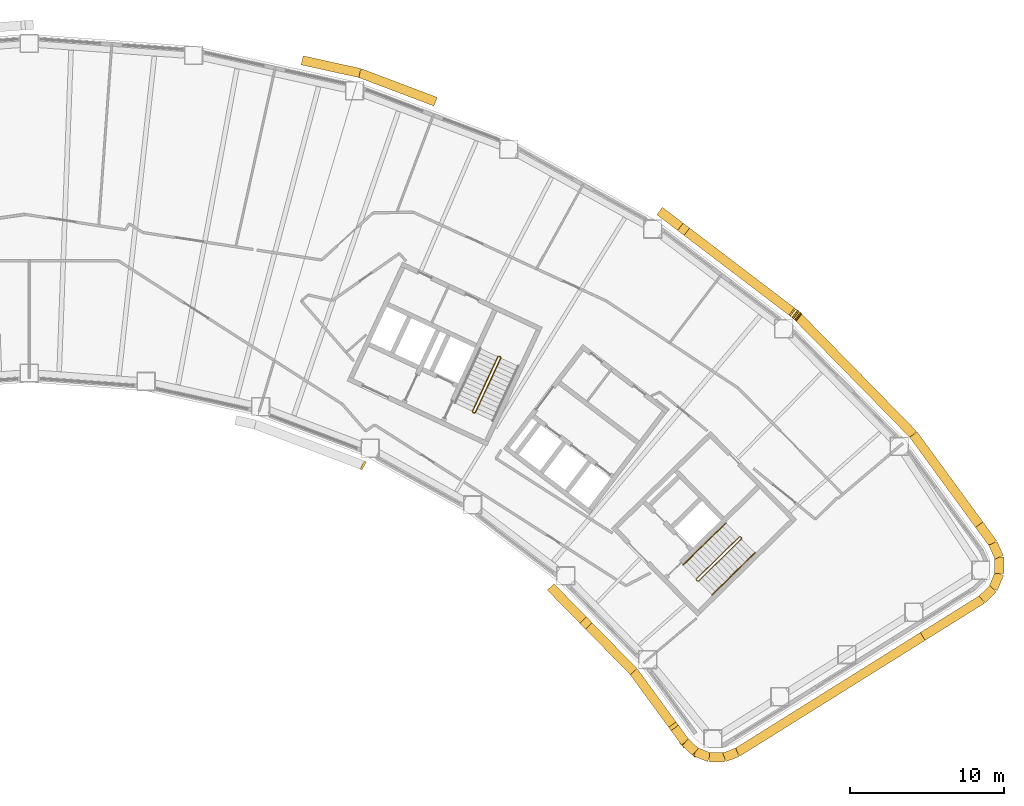
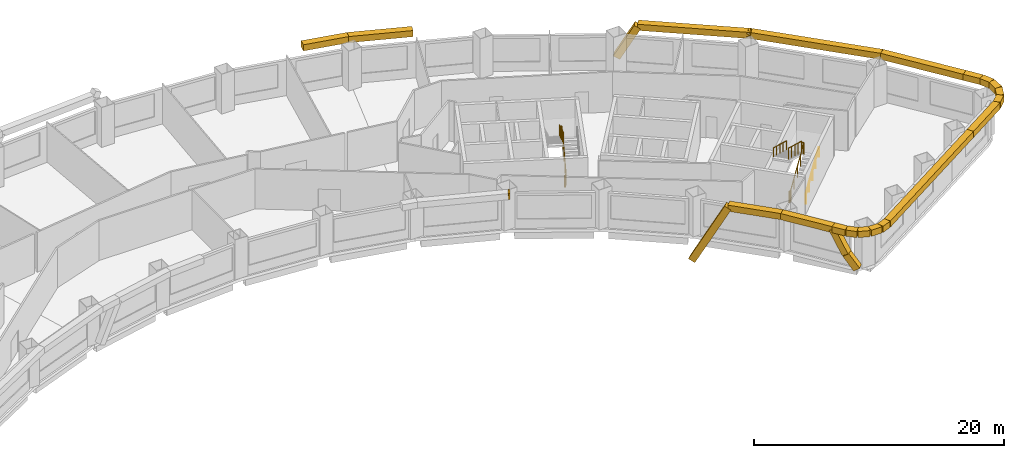
# One storey, part 11 of 11: 27 coverings, 4 railings.
"""IFC4 building model written with IfcOpenShell, lengths in metres."""

import ifcopenshell
import ifcopenshell.guid

model = None  # the IFC model being written
_history = None  # IfcOwnerHistory: only IFC2X3 demands one
_inside = {}  # id of a spatial element -> (the spatial element, [elements in it])
_under = {}  # id of a project, library or spatial element -> (it, [spatial elements below it])
_declared = {}  # id of a project -> (the project, [libraries it declares])
_typed = {}  # id of a type object -> (the type object, [elements of that type])
_made_of = {}  # id of a material, layer set ... -> (it, [elements and type objects made of it])


def new_model(schema):
    """Start an empty IFC model of exactly this schema.

    Asked for "IFC4X3", IfcOpenShell would pick the latest addendum, in which some entities
    have other attributes; the version numbers below select the first issue.
    IFC2X3 requires an IfcOwnerHistory on every rooted entity: one is made here for all.
    """
    global model, _history
    if schema == "IFC4X3":
        model = ifcopenshell.file(schema_version=(4, 3, 0, 0))
    else:
        model = ifcopenshell.file(schema=schema)
    _inside.clear()
    _under.clear()
    _declared.clear()
    _typed.clear()
    _made_of.clear()
    _history = None
    if model.schema == "IFC2X3":
        org = make("IfcOrganization", Name="unknown")
        user = make(
            "IfcPersonAndOrganization",
            ThePerson=make("IfcPerson", FamilyName="unknown"),
            TheOrganization=org,
        )
        app = make(
            "IfcApplication",
            ApplicationDeveloper=org,
            Version="unknown",
            ApplicationFullName="unknown",
            ApplicationIdentifier="unknown",
        )
        _history = make(
            "IfcOwnerHistory",
            OwningUser=user,
            OwningApplication=app,
            ChangeAction="ADDED",
            CreationDate=0,
        )
    return model


def make(cls, **values):
    """One entity of the class cls with the attributes given. An attribute that is None is left unset."""
    return model.create_entity(
        cls, **{name: value for name, value in values.items() if value is not None}
    )


def rooted(cls, **values):
    """An entity with a GlobalId (a new one), such as an element, a storey or a relation."""
    return make(cls, GlobalId=ifcopenshell.guid.new(), OwnerHistory=_history, **values)


def si_unit(unit_type, name, prefix=None):
    """IfcSIUnit, for example si_unit("LENGTHUNIT", "METRE", prefix="MILLI")."""
    return make("IfcSIUnit", UnitType=unit_type, Prefix=prefix, Name=name)


def assignment(units):
    """IfcUnitAssignment: the units of a project."""
    return None if units is None else make("IfcUnitAssignment", Units=units)


def point(xyz):
    """IfcCartesianPoint."""
    return None if xyz is None else make("IfcCartesianPoint", Coordinates=xyz)


def direction(xyz):
    """IfcDirection."""
    return None if xyz is None else make("IfcDirection", DirectionRatios=xyz)


def frame(location, z_axis=None, x_axis=None):
    """IfcAxis2Placement3D, a coordinate frame: its origin and axes. An axis left out is left unset."""
    return make(
        "IfcAxis2Placement3D",
        Location=point(location),
        Axis=direction(z_axis),
        RefDirection=direction(x_axis),
    )


def frame_2d(location, x_axis=None):
    """IfcAxis2Placement2D, a coordinate frame in the plane: its origin and x axis."""
    return make(
        "IfcAxis2Placement2D", Location=point(location), RefDirection=direction(x_axis)
    )


def origin():
    """The frame at (0, 0, 0) with its axes left unset."""
    return frame((0.0, 0.0, 0.0))


def origin_2d():
    """The frame at (0, 0) in the plane with its x axis left unset."""
    return frame_2d((0.0, 0.0))


def place(relative_to, where):
    """IfcLocalPlacement: puts the frame where relative to a parent placement (None: the world)."""
    return make(
        "IfcLocalPlacement", PlacementRelTo=relative_to, RelativePlacement=where
    )


def context(
    kind, dimensions, precision=None, world=None, true_north=None, identifier=None
):
    """IfcGeometricRepresentationContext, for example the 3D "Model" context."""
    return make(
        "IfcGeometricRepresentationContext",
        ContextIdentifier=identifier,
        ContextType=kind,
        CoordinateSpaceDimension=dimensions,
        Precision=precision,
        WorldCoordinateSystem=world,
        TrueNorth=true_north,
    )


def subcontext(parent, identifier, kind, view, scale=None):
    """IfcGeometricRepresentationSubContext, for example "Body" below "Model"."""
    return make(
        "IfcGeometricRepresentationSubContext",
        ContextIdentifier=identifier,
        ContextType=kind,
        ParentContext=parent,
        TargetScale=scale,
        TargetView=view,
    )


def project(units=None, contexts=None):
    """IfcProject with its units and contexts."""
    return rooted(
        "IfcProject",
        Name="project",
        RepresentationContexts=contexts,
        UnitsInContext=assignment(units),
    )


def spatial(cls, under=None, at=None, **own):
    """A site, building, storey or space (cls), placed at a placement, below another one or the project."""
    s = rooted(cls, ObjectPlacement=at, **own)
    if under is not None:
        _under.setdefault(under.id(), (under, []))[1].append(s)
    return s


def profile(cls, at=None, kind="AREA", **sizes):
    """A parametric profile (cls). Its sizes go by their IFC names, for example OverallWidth=200.0."""
    return make(cls, ProfileType=kind, Position=at, **sizes)


def rectangle(**sizes):
    """IfcRectangleProfileDef."""
    return profile("IfcRectangleProfileDef", **sizes)


def circle(**sizes):
    """IfcCircleProfileDef."""
    return profile("IfcCircleProfileDef", **sizes)


def extrude(swept, where, along, depth):
    """IfcExtrudedAreaSolid: the profile swept, set in the frame where, extruded along a direction by depth."""
    return make(
        "IfcExtrudedAreaSolid",
        SweptArea=swept,
        Position=where,
        ExtrudedDirection=direction(along),
        Depth=depth,
    )


def shape(context_of_items, identifier, shape_type, items):
    """IfcShapeRepresentation: the items that make up one representation, for example the "Body"."""
    return make(
        "IfcShapeRepresentation",
        ContextOfItems=context_of_items,
        RepresentationIdentifier=identifier,
        RepresentationType=shape_type,
        Items=items,
    )


def material(Name=None, Category=None):
    """IfcMaterial."""
    return make("IfcMaterial", Name=Name, Category=Category)


def material_profile(
    of_material, cross_section, Name=None, Category=None, Priority=None
):
    """IfcMaterialProfile: a cross section and its material."""
    return make(
        "IfcMaterialProfile",
        Name=Name,
        Material=of_material,
        Profile=cross_section,
        Priority=Priority,
        Category=Category,
    )


def profile_set(profiles, Name=None, composite=None):
    """IfcMaterialProfileSet."""
    return make(
        "IfcMaterialProfileSet",
        Name=Name,
        MaterialProfiles=profiles,
        CompositeProfile=composite,
    )


def made_of(thing, what):
    """Note that an element or type object is made of a material, layer set ...; save() writes the relation."""
    if what is not None:
        _made_of.setdefault(what.id(), (what, []))[1].append(thing)
    return thing


def type_object(cls, material=None, **own):
    """A type object (cls), such as IfcWallType, which elements share."""
    return made_of(rooted(cls, **own), material)


def element(
    cls,
    number,
    at=None,
    inside=None,
    cuts=None,
    type_object=None,
    material=None,
    context=None,
    identifier="Body",
    shape_type=None,
    held_by="IfcProductDefinitionShape",
    body=None,
    shapes=None,
    **own,
):
    """One element of the class cls, such as IfcWall. Its Tag is "e" and its number.

    at: its placement. inside: the storey or other place that contains it. cuts: it is an
    opening in that element (IfcRelVoidsElement). A single representation is given by context,
    identifier, shape_type and body (its items); several are given by shapes. held_by: the class
    of the entity that holds the representations. save() writes the other relations.
    """
    e = rooted(cls, Tag="e%d" % number, ObjectPlacement=at, **own)
    if body is not None:
        shapes = [shape(context, identifier, shape_type, body)]
    if shapes is not None:
        e.Representation = make(held_by, Representations=shapes)
    if inside is not None:
        _inside.setdefault(inside.id(), (inside, []))[1].append(e)
    if cuts is not None:
        rooted(
            "IfcRelVoidsElement", RelatingBuildingElement=cuts, RelatedOpeningElement=e
        )
    if type_object is not None:
        _typed.setdefault(type_object.id(), (type_object, []))[1].append(e)
    return made_of(e, material)


def aggregate(whole, parts):
    """IfcRelAggregates: a whole, such as a stair, and the parts it consists of."""
    return rooted("IfcRelAggregates", RelatingObject=whole, RelatedObjects=parts)


def save(model, path):
    """Write the relations noted so far, then the file.

    IfcRelAggregates (storeys below a building ...), IfcRelContainedInSpatialStructure (elements
    in a storey), IfcRelDefinesByType, IfcRelAssociatesMaterial and IfcRelDeclares: one each for
    every whole, place, type object, material and project.
    """
    for whole, parts in _under.values():
        aggregate(whole, parts)
    for where, things in _inside.values():
        rooted(
            "IfcRelContainedInSpatialStructure",
            RelatedElements=things,
            RelatingStructure=where,
        )
    for kind, things in _typed.values():
        rooted("IfcRelDefinesByType", RelatedObjects=things, RelatingType=kind)
    for what, things in _made_of.values():
        rooted("IfcRelAssociatesMaterial", RelatedObjects=things, RelatingMaterial=what)
    for by, libraries in _declared.values():
        rooted("IfcRelDeclares", RelatingContext=by, RelatedDefinitions=libraries)
    model.write(path)


model = new_model("IFC4")

# Units and contexts
model_context = context("Model", 3, precision=1e-05, world=origin(), true_north=direction((0.0, 1.0)))
body_context = subcontext(model_context, "Body", "Model", "MODEL_VIEW")
ifc_project = project(units=[si_unit("LENGTHUNIT", "METRE"), si_unit("AREAUNIT", "SQUARE_METRE"), si_unit("VOLUMEUNIT", "CUBIC_METRE"), si_unit("PLANEANGLEUNIT", "RADIAN"), si_unit("MASSUNIT", "GRAM", prefix="KILO")], contexts=[model_context])

# Site, building, storey
site_placement = place(None, origin())
site = spatial("IfcSite", under=ifc_project, at=site_placement, CompositionType="ELEMENT")
building_placement = place(site_placement, origin())
building = spatial("IfcBuilding", under=site, at=building_placement, Name="Tuul Gate Civic Tower", CompositionType="ELEMENT")
storey_placement = place(building_placement, frame((0.0, 0.0, 69.60009765625)))
storey = spatial("IfcBuildingStorey", under=building, at=storey_placement, Name="Level 15", CompositionType="ELEMENT", Elevation=69.60009765625)

# Railings
ifc_material_1 = material(Name="Painted steel", Category="steel")
railing_type_1 = type_object("IfcRailingType", Name="Stair guard", PredefinedType="GUARDRAIL", material=ifc_material_1)
railing_1_placement = place(storey_placement, frame((48.10546875, -16.134765625, 0.0)))
element("IfcRailing", 1, at=railing_1_placement, inside=storey, type_object=railing_type_1, Name="Level 15 ST-3 stair guard 1", PredefinedType="GUARDRAIL", context=body_context, shape_type="SweptSolid", body=[
    extrude(circle(Radius=0.02392578125, at=origin_2d()), frame((0.0, 0.0, 1.076171875), z_axis=(-0.698506948293, 0.715603272202, 0.0), x_axis=(-0.715603272202, -0.698506948293, 0.0)), (0.0, 0.0, 1.0), 0.099853515625),
    extrude(circle(Radius=0.02392578125, at=origin_2d()), frame((-0.06982421875, 0.071533203125, 1.076171875), z_axis=(0.645446321009, -0.331687692741, 0.688027849131), x_axis=(0.457068866502, 0.889431307788, 0.0)), (0.0, 0.0, 1.0), 0.2177734375),
    extrude(circle(Radius=0.02392578125, at=origin_2d()), frame((0.07080078125, -0.000732421875, 1.22607421875), z_axis=(0.638731261263, 0.626133563701, 0.447190268558), x_axis=(-0.700029477518, 0.714113947914, 0.0)), (0.0, 0.0, 1.0), 4.3603515625),
    extrude(circle(Radius=0.02392578125, at=origin_2d()), frame((2.85595703125, 2.7294921875, 3.17578125), z_axis=(0.010380063588, 0.999946125689, 0.0), x_axis=(-0.999946125689, 0.010380063588, 0.0)), (0.0, 0.0, 1.0), 0.070556640625),
    extrude(circle(Radius=0.02392578125, at=origin_2d()), frame((2.856689453125, 2.800048828125, 3.17578125), z_axis=(-0.699754442181, 0.714383454909, 0.0), x_axis=(-0.714383454909, -0.699754442181, 0.0)), (0.0, 0.0, 1.0), 0.10009765625),
    extrude(circle(Radius=0.02392578125, at=origin_2d()), frame((2.78662109375, 2.87158203125, 3.17578125), z_axis=(-0.426501027327, 0.004412079593, 0.904476316574), x_axis=(-0.010344274102, -0.999946496565, 0.0)), (0.0, 0.0, 1.0), 0.166015625),
    extrude(circle(Radius=0.02392578125, at=origin_2d()), frame((2.7158203125, 2.872314453125, 3.326171875), z_axis=(-0.638731261263, -0.626133563701, 0.447190268558), x_axis=(0.700029477518, -0.714113947914, 0.0)), (0.0, 0.0, 1.0), 4.3603515625),
    extrude(circle(Radius=0.02099609375, at=origin_2d()), origin(), (0.0, 0.0, 1.0), 1.052001953125),
    extrude(circle(Radius=0.02099609375, at=origin_2d()), frame((-0.06982421875, 0.071533203125, 0.0)), (0.0, 0.0, 1.0), 1.052001953125),
    extrude(circle(Radius=0.02099609375, at=origin_2d()), frame((0.07080078125, -0.000732421875, 0.14990234375)), (0.0, 0.0, 1.0), 1.052001953125),
    extrude(circle(Radius=0.02099609375, at=origin_2d()), frame((0.76708984375, 0.681884765625, 0.637451171875)), (0.0, 0.0, 1.0), 1.052001953125),
    extrude(circle(Radius=0.02099609375, at=origin_2d()), frame((1.46337890625, 1.3642578125, 1.125)), (0.0, 0.0, 1.0), 1.052001953125),
    extrude(circle(Radius=0.02099609375, at=origin_2d()), frame((2.15966796875, 2.046875, 1.6123046875)), (0.0, 0.0, 1.0), 1.052001953125),
    extrude(circle(Radius=0.02099609375, at=origin_2d()), frame((2.85595703125, 2.7294921875, 2.099853515625)), (0.0, 0.0, 1.0), 1.052001953125),
    extrude(circle(Radius=0.02099609375, at=origin_2d()), frame((2.856689453125, 2.800048828125, 2.099853515625)), (0.0, 0.0, 1.0), 1.052001953125),
    extrude(circle(Radius=0.02099609375, at=origin_2d()), frame((2.78662109375, 2.87158203125, 2.099853515625)), (0.0, 0.0, 1.0), 1.052001953125),
    extrude(circle(Radius=0.02099609375, at=origin_2d()), frame((2.7158203125, 2.872314453125, 2.25)), (0.0, 0.0, 1.0), 1.052001953125),
    extrude(circle(Radius=0.02099609375, at=origin_2d()), frame((2.01953125, 2.189697265625, 2.737548828125)), (0.0, 0.0, 1.0), 1.052001953125),
    extrude(circle(Radius=0.02099609375, at=origin_2d()), frame((1.3232421875, 1.50732421875, 3.22509765625)), (0.0, 0.0, 1.0), 1.052001953125),
    extrude(circle(Radius=0.02099609375, at=origin_2d()), frame((0.626953125, 0.82470703125, 3.71240234375)), (0.0, 0.0, 1.0), 1.052001953125),
    extrude(circle(Radius=0.02099609375, at=origin_2d()), frame((-0.0693359375, 0.14208984375, 4.199951171875)), (0.0, 0.0, 1.0), 1.052001953125),
])
railing_2_placement = place(storey_placement, frame((33.645751953125, -5.238525390625, 0.0)))
element("IfcRailing", 2, at=railing_2_placement, inside=storey, type_object=railing_type_1, Name="Level 15 ST-4 stair guard 1", PredefinedType="GUARDRAIL", context=body_context, shape_type="SweptSolid", body=[
    extrude(circle(Radius=0.02392578125, at=origin_2d()), frame((0.0, 0.0, 1.076171875), z_axis=(-0.906307919131, 0.422617978463, 0.0), x_axis=(-0.422617978463, -0.906307919131, 0.0)), (0.0, 0.0, 1.0), 0.099853515625),
    extrude(circle(Radius=0.02392578125, at=origin_2d()), frame((-0.090576171875, 0.042236328125, 1.076171875), z_axis=(0.720735628292, -0.082946246491, 0.688229666829), x_axis=(0.114330889033, 0.993442724979, 0.0)), (0.0, 0.0, 1.0), 0.2177734375),
    extrude(circle(Radius=0.02392578125, at=origin_2d()), frame((0.06640625, 0.024169921875, 1.22607421875), z_axis=(0.377946903738, 0.810654114417, 0.447209173356), x_axis=(-0.906336612539, 0.422556439746, 0.0)), (0.0, 0.0, 1.0), 4.3603515625),
    extrude(circle(Radius=0.02392578125, at=origin_2d()), frame((1.71435546875, 3.558837890625, 3.17578125), z_axis=(-0.342020437038, 0.939692513883, 0.0), x_axis=(-0.939692513883, -0.342020437038, 0.0)), (0.0, 0.0, 1.0), 0.070556640625),
    extrude(circle(Radius=0.02392578125, at=origin_2d()), frame((1.690185546875, 3.625244140625, 3.17578125), z_axis=(-0.906307919131, 0.422617978463, 0.0), x_axis=(-0.422617978463, -0.906307919131, 0.0)), (0.0, 0.0, 1.0), 0.099853515625),
    extrude(circle(Radius=0.02392578125, at=origin_2d()), frame((1.599609375, 3.66748046875, 3.17578125), z_axis=(-0.400168791901, -0.145649670582, 0.904793408159), x_axis=(0.342020437038, -0.939692513883, 0.0)), (0.0, 0.0, 1.0), 0.166015625),
    extrude(circle(Radius=0.02392578125, at=origin_2d()), frame((1.533203125, 3.643310546875, 3.326171875), z_axis=(-0.377946903738, -0.810654114417, 0.447209173356), x_axis=(0.906336612539, -0.422556439746, 0.0)), (0.0, 0.0, 1.0), 4.3603515625),
    extrude(circle(Radius=0.02099609375, at=origin_2d()), origin(), (0.0, 0.0, 1.0), 1.052001953125),
    extrude(circle(Radius=0.02099609375, at=origin_2d()), frame((-0.090576171875, 0.042236328125, 0.0)), (0.0, 0.0, 1.0), 1.052001953125),
    extrude(circle(Radius=0.02099609375, at=origin_2d()), frame((0.06640625, 0.024169921875, 0.14990234375)), (0.0, 0.0, 1.0), 1.052001953125),
    extrude(circle(Radius=0.02099609375, at=origin_2d()), frame((0.478515625, 0.90771484375, 0.637451171875)), (0.0, 0.0, 1.0), 1.052001953125),
    extrude(circle(Radius=0.02099609375, at=origin_2d()), frame((0.890380859375, 1.79150390625, 1.125)), (0.0, 0.0, 1.0), 1.052001953125),
    extrude(circle(Radius=0.02099609375, at=origin_2d()), frame((1.30224609375, 2.67529296875, 1.6123046875)), (0.0, 0.0, 1.0), 1.052001953125),
    extrude(circle(Radius=0.02099609375, at=origin_2d()), frame((1.71435546875, 3.558837890625, 2.099853515625)), (0.0, 0.0, 1.0), 1.052001953125),
    extrude(circle(Radius=0.02099609375, at=origin_2d()), frame((1.690185546875, 3.625244140625, 2.099853515625)), (0.0, 0.0, 1.0), 1.052001953125),
    extrude(circle(Radius=0.02099609375, at=origin_2d()), frame((1.599609375, 3.66748046875, 2.099853515625)), (0.0, 0.0, 1.0), 1.052001953125),
    extrude(circle(Radius=0.02099609375, at=origin_2d()), frame((1.533203125, 3.643310546875, 2.25)), (0.0, 0.0, 1.0), 1.052001953125),
    extrude(circle(Radius=0.02099609375, at=origin_2d()), frame((1.12109375, 2.759765625, 2.737548828125)), (0.0, 0.0, 1.0), 1.052001953125),
    extrude(circle(Radius=0.02099609375, at=origin_2d()), frame((0.709228515625, 1.8759765625, 3.22509765625)), (0.0, 0.0, 1.0), 1.052001953125),
    extrude(circle(Radius=0.02099609375, at=origin_2d()), frame((0.29736328125, 0.9921875, 3.71240234375)), (0.0, 0.0, 1.0), 1.052001953125),
    extrude(circle(Radius=0.02099609375, at=origin_2d()), frame((-0.11474609375, 0.108642578125, 4.199951171875)), (0.0, 0.0, 1.0), 1.052001953125),
])
ifc_material_2 = material(Name="Painted steel", Category="steel")
railing_type_2 = type_object("IfcRailingType", Name="Stair handrail", PredefinedType="HANDRAIL", material=ifc_material_2)
railing_3_placement = place(storey_placement, frame((49.05126953125, -17.028076171875, 0.14990234375)))
element("IfcRailing", 3, at=railing_3_placement, inside=storey, type_object=railing_type_2, Name="Level 15 ST-3 stair handrail 1", PredefinedType="HANDRAIL", context=body_context, shape_type="SweptSolid", body=[
    extrude(circle(Radius=0.02392578125, at=origin_2d()), frame((0.0, 0.0, 0.8759765625), z_axis=(0.638753653487, 0.626099522554, 0.447205945863), x_axis=(-0.699997553204, 0.714145241186, 0.0)), (0.0, 0.0, 1.0), 4.3603515625),
    extrude(circle(Radius=0.02099609375, at=origin_2d()), origin(), (0.0, 0.0, 1.0), 0.851806640625),
    extrude(circle(Radius=0.02099609375, at=origin_2d()), frame((0.6962890625, 0.6826171875, 0.487548828125)), (0.0, 0.0, 1.0), 0.851806640625),
    extrude(circle(Radius=0.02099609375, at=origin_2d()), frame((1.392578125, 1.364990234375, 0.97509765625)), (0.0, 0.0, 1.0), 0.851806640625),
    extrude(circle(Radius=0.02099609375, at=origin_2d()), frame((2.0888671875, 2.04736328125, 1.46240234375)), (0.0, 0.0, 1.0), 0.851806640625),
    extrude(circle(Radius=0.02099609375, at=origin_2d()), frame((2.78515625, 2.72998046875, 1.949951171875)), (0.0, 0.0, 1.0), 0.851806640625),
])
railing_4_placement = place(storey_placement, frame((49.9462890625, -12.369873046875, 2.25)))
element("IfcRailing", 4, at=railing_4_placement, inside=storey, type_object=railing_type_2, Name="Level 15 ST-3 stair handrail 2", PredefinedType="HANDRAIL", context=body_context, shape_type="SweptSolid", body=[
    extrude(circle(Radius=0.02392578125, at=origin_2d()), frame((0.0, 0.0, 0.8759765625), z_axis=(-0.638753653487, -0.626099522554, 0.447205945863), x_axis=(0.699997553204, -0.714145241186, 0.0)), (0.0, 0.0, 1.0), 4.3603515625),
    extrude(circle(Radius=0.02099609375, at=origin_2d()), origin(), (0.0, 0.0, 1.0), 0.851806640625),
    extrude(circle(Radius=0.02099609375, at=origin_2d()), frame((-0.6962890625, -0.6826171875, 0.487548828125)), (0.0, 0.0, 1.0), 0.851806640625),
    extrude(circle(Radius=0.02099609375, at=origin_2d()), frame((-1.392578125, -1.364990234375, 0.97509765625)), (0.0, 0.0, 1.0), 0.851806640625),
    extrude(circle(Radius=0.02099609375, at=origin_2d()), frame((-2.0888671875, -2.04736328125, 1.46240234375)), (0.0, 0.0, 1.0), 0.851806640625),
    extrude(circle(Radius=0.02099609375, at=origin_2d()), frame((-2.78515625, -2.72998046875, 1.949951171875)), (0.0, 0.0, 1.0), 0.851806640625),
])

# Coverings
ifc_material_3 = material(Name="Terracotta baguette", Category="masonry")
ifc_material_profile = material_profile(ifc_material_3, rectangle(XDim=0.60009765625, YDim=0.60009765625, at=origin_2d()), Name="Terracotta baguette screen frame")
ifc_profile_set = profile_set([ifc_material_profile], Name="Terracotta baguette")
covering_type = type_object("IfcCoveringType", Name="Terracotta baguette screen frame", PredefinedType="CLADDING", material=ifc_profile_set)
covering_1_placement = place(storey_placement, frame((62.709228515625, -19.71875, 3.849853515625), z_axis=(0.848058898511, 0.529901976461, 0.0), x_axis=(-0.529901976461, 0.848058898511, 0.0)))
element("IfcCovering", 5, at=covering_1_placement, inside=storey, type_object=covering_type, Name="Baguette 4", PredefinedType="CLADDING", context=body_context, shape_type="SweptSolid", body=[
    extrude(rectangle(XDim=0.60009765625, YDim=0.60009765625, at=origin_2d()), origin(), (0.0, 0.0, 1.0), 4.526611328125),
])
covering_2_placement = place(storey_placement, frame((66.548095703125, -17.320068359375, 3.849853515625), z_axis=(0.722137314744, 0.691749737011, 0.0), x_axis=(-0.691749737011, 0.722137314744, 0.0)))
element("IfcCovering", 6, at=covering_2_placement, inside=storey, type_object=covering_type, Name="Baguette 5", PredefinedType="CLADDING", context=body_context, shape_type="SweptSolid", body=[
    extrude(rectangle(XDim=0.60009765625, YDim=0.60009765625, at=origin_2d()), origin(), (0.0, 0.0, 1.0), 0.98828125),
])
covering_3_placement = place(storey_placement, frame((67.26171875, -16.636474609375, 3.849853515625), z_axis=(0.385590096332, 0.922670188968, 0.0), x_axis=(-0.922670188968, 0.385590096332, 0.0)))
element("IfcCovering", 7, at=covering_3_placement, inside=storey, type_object=covering_type, Name="Baguette 6", PredefinedType="CLADDING", context=body_context, shape_type="SweptSolid", body=[
    extrude(rectangle(XDim=0.60009765625, YDim=0.60009765625, at=origin_2d()), origin(), (0.0, 0.0, 1.0), 1.06689453125),
])
covering_4_placement = place(storey_placement, frame((67.673095703125, -15.652099609375, 3.849853515625), z_axis=(-0.014411680901, 0.999896146334, 0.0), x_axis=(-0.999896146334, -0.014411680901, 0.0)))
element("IfcCovering", 8, at=covering_4_placement, inside=storey, type_object=covering_type, Name="Baguette 7", PredefinedType="CLADDING", context=body_context, shape_type="SweptSolid", body=[
    extrude(rectangle(XDim=0.60009765625, YDim=0.60009765625, at=origin_2d()), origin(), (0.0, 0.0, 1.0), 1.067138671875),
])
covering_5_placement = place(storey_placement, frame((67.65771484375, -14.5849609375, 3.849853515625), z_axis=(-0.412573349968, 0.910924382644, 0.0), x_axis=(-0.910924382644, -0.412573349968, 0.0)))
element("IfcCovering", 9, at=covering_5_placement, inside=storey, type_object=covering_type, Name="Baguette 8", PredefinedType="CLADDING", context=body_context, shape_type="SweptSolid", body=[
    extrude(rectangle(XDim=0.60009765625, YDim=0.60009765625, at=origin_2d()), origin(), (0.0, 0.0, 1.0), 0.987548828125),
])
covering_6_placement = place(storey_placement, frame((67.250244140625, -13.685302734375, 3.849853515625), z_axis=(-0.589762746012, 0.807576561953, 0.0), x_axis=(-0.807576561953, -0.589762746012, 0.0)))
element("IfcCovering", 10, at=covering_6_placement, inside=storey, type_object=covering_type, Name="Baguette 9", PredefinedType="CLADDING", context=body_context, shape_type="SweptSolid", body=[
    extrude(rectangle(XDim=0.60009765625, YDim=0.60009765625, at=origin_2d()), origin(), (0.0, 0.0, 1.0), 1.4951171875),
])
for number, where, z_axis, x_axis, name in (
    (11, (54.501708984375, 1.117919921875, 4.01708984375), (-0.378820182933, 0.287646511787, -0.879633306133), (-0.604740952952, -0.796422237147, 0.0), "Baguette 28"),
    (12, (54.4296875, 1.172607421875, 3.849853515625), (0.378820182933, -0.287646511787, -0.879633306133), (0.604740952952, 0.796422237147, 0.0), "Baguette 31"),
):
    element("IfcCovering", number, at=place(storey_placement, frame(where, z_axis=z_axis, x_axis=x_axis)), inside=storey, type_object=covering_type, Name=name, PredefinedType="CLADDING", context=body_context, shape_type="SweptSolid", body=[
        extrude(rectangle(XDim=0.60009765625, YDim=0.60009765625, at=origin_2d()), origin(), (0.0, 0.0, 1.0), 0.190185546875),
    ])
covering_7_placement = place(storey_placement, frame((54.4296875, 1.172607421875, 3.849853515625), z_axis=(-0.795609596357, 0.605809681488, 0.0), x_axis=(-0.605809681488, -0.795609596357, 0.0)))
element("IfcCovering", 13, at=covering_7_placement, inside=storey, type_object=covering_type, Name="Baguette 33", PredefinedType="CLADDING", context=body_context, shape_type="SweptSolid", body=[
    extrude(rectangle(XDim=0.60009765625, YDim=0.60009765625, at=origin_2d()), origin(), (0.0, 0.0, 1.0), 9.072265625),
])
covering_8_placement = place(storey_placement, frame((47.211669921875, 6.668701171875, 3.849853515625), z_axis=(-0.378051059001, 0.287849161769, -0.879897867288), x_axis=(-0.605790532559, -0.795624176771, 0.0)))
element("IfcCovering", 14, at=covering_8_placement, inside=storey, type_object=covering_type, Name="Baguette 37", PredefinedType="CLADDING", context=body_context, shape_type="SweptSolid", body=[
    extrude(rectangle(XDim=0.60009765625, YDim=0.60009765625, at=origin_2d()), origin(), (0.0, 0.0, 1.0), 3.5537109375),
])
covering_9_placement = place(storey_placement, frame((31.135009765625, 14.935302734375, 3.849853515625), z_axis=(-0.935352024444, 0.353718235845, 0.0), x_axis=(-0.353718235845, -0.935352024444, 0.0)))
element("IfcCovering", 15, at=covering_9_placement, inside=storey, type_object=covering_type, Name="Baguette 54", PredefinedType="CLADDING", context=body_context, shape_type="SweptSolid", body=[
    extrude(rectangle(XDim=0.60009765625, YDim=0.60009765625, at=origin_2d()), origin(), (0.0, 0.0, 1.0), 5.24560546875),
])
covering_10_placement = place(storey_placement, frame((26.228515625, 16.790771484375, 3.849853515625), z_axis=(-0.9765742669, 0.215180624657, 0.0), x_axis=(-0.215180624657, -0.9765742669, 0.0)))
element("IfcCovering", 16, at=covering_10_placement, inside=storey, type_object=covering_type, Name="Baguette 55", PredefinedType="CLADDING", context=body_context, shape_type="SweptSolid", body=[
    extrude(rectangle(XDim=0.60009765625, YDim=0.60009765625, at=origin_2d()), origin(), (0.0, 0.0, 1.0), 3.826904296875),
])
covering_11_placement = place(storey_placement, frame((26.388916015625, -8.6083984375, 3.849853515625), z_axis=(0.874986439638, -0.484147426359, 0.0), x_axis=(0.484147426359, 0.874986439638, 0.0)))
element("IfcCovering", 17, at=covering_11_placement, inside=storey, type_object=covering_type, Name="Baguette 231", PredefinedType="CLADDING", context=body_context, shape_type="SweptSolid", body=[
    extrude(rectangle(XDim=0.60009765625, YDim=0.60009765625, at=origin_2d()), origin(), (0.0, 0.0, 1.0), 0.138671875),
])
covering_12_placement = place(storey_placement, frame((40.88330078125, -18.845703125, 3.849853515625), z_axis=(-0.326365350275, 0.332876002124, -0.884691599005), x_axis=(-0.714055329058, -0.700089270768, 0.0)))
element("IfcCovering", 18, at=covering_12_placement, inside=storey, type_object=covering_type, Name="Baguette 250", PredefinedType="CLADDING", context=body_context, shape_type="SweptSolid", body=[
    extrude(rectangle(XDim=0.60009765625, YDim=0.60009765625, at=origin_2d()), origin(), (0.0, 0.0, 1.0), 6.44970703125),
])
covering_13_placement = place(storey_placement, frame((40.88330078125, -18.845703125, 3.849853515625), z_axis=(0.700098525689, -0.714046255034, 0.0), x_axis=(0.714046255034, 0.700098525689, 0.0)))
element("IfcCovering", 19, at=covering_13_placement, inside=storey, type_object=covering_type, Name="Baguette 252", PredefinedType="CLADDING", context=body_context, shape_type="SweptSolid", body=[
    extrude(rectangle(XDim=0.60009765625, YDim=0.60009765625, at=origin_2d()), origin(), (0.0, 0.0, 1.0), 4.410888671875),
])
covering_14_placement = place(storey_placement, frame((43.971435546875, -21.995361328125, 3.849853515625), z_axis=(0.589872992761, -0.807496038635, 0.0), x_axis=(0.807496038635, 0.589872992761, 0.0)))
element("IfcCovering", 20, at=covering_14_placement, inside=storey, type_object=covering_type, Name="Baguette 253", PredefinedType="CLADDING", context=body_context, shape_type="SweptSolid", body=[
    extrude(rectangle(XDim=0.60009765625, YDim=0.60009765625, at=origin_2d()), origin(), (0.0, 0.0, 1.0), 4.518798828125),
])
covering_15_placement = place(storey_placement, frame((46.636962890625, -25.644287109375, 3.849853515625), z_axis=(0.278697327646, -0.381570165283, -0.881324008824), x_axis=(0.807534670748, 0.589820104388, 0.0)))
element("IfcCovering", 21, at=covering_15_placement, inside=storey, type_object=covering_type, Name="Baguette 258", PredefinedType="CLADDING", context=body_context, shape_type="SweptSolid", body=[
    extrude(rectangle(XDim=0.60009765625, YDim=0.60009765625, at=origin_2d()), origin(), (0.0, 0.0, 1.0), 2.439697265625),
])
covering_16_placement = place(storey_placement, frame((47.31689453125, -26.5751953125, 1.69970703125), z_axis=(0.418284657798, -0.391744147043, -0.81949647242), x_axis=(0.68357167815, 0.729883388516, 0.0)))
element("IfcCovering", 22, at=covering_16_placement, inside=storey, type_object=covering_type, Name="Baguette 259", PredefinedType="CLADDING", context=body_context, shape_type="SweptSolid", body=[
    extrude(rectangle(XDim=0.60009765625, YDim=0.60009765625, at=origin_2d()), origin(), (0.0, 0.0, 1.0), 1.572998046875),
])
covering_17_placement = place(storey_placement, frame((66.368408203125, -12.477783203125, 3.849853515625), z_axis=(-0.589836504593, 0.807522691848, 0.0), x_axis=(-0.807522691848, -0.589836504593, 0.0)))
element("IfcCovering", 23, at=covering_17_placement, inside=storey, type_object=covering_type, Name="Baguette 285", PredefinedType="CLADDING", context=body_context, shape_type="SweptSolid", body=[
    extrude(rectangle(XDim=0.60009765625, YDim=0.60009765625, at=origin_2d()), origin(), (0.0, 0.0, 1.0), 7.240478515625),
])
covering_18_placement = place(storey_placement, frame((62.09765625, -6.630859375, 3.849853515625), z_axis=(-0.70002934375, 0.714114079044, 0.0), x_axis=(-0.714114079044, -0.70002934375, 0.0)))
element("IfcCovering", 24, at=covering_18_placement, inside=storey, type_object=covering_type, Name="Baguette 286", PredefinedType="CLADDING", context=body_context, shape_type="SweptSolid", body=[
    extrude(rectangle(XDim=0.60009765625, YDim=0.60009765625, at=origin_2d()), origin(), (0.0, 0.0, 1.0), 10.850830078125),
])
covering_19_placement = place(storey_placement, frame((54.501708984375, 1.117919921875, 3.849853515625), z_axis=(-0.796422237147, 0.604740952952, 0.0), x_axis=(-0.604740952952, -0.796422237147, 0.0)))
element("IfcCovering", 25, at=covering_19_placement, inside=storey, type_object=covering_type, Name="Baguette 287", PredefinedType="CLADDING", context=body_context, shape_type="SweptSolid", body=[
    extrude(rectangle(XDim=0.60009765625, YDim=0.60009765625, at=origin_2d()), origin(), (0.0, 0.0, 1.0), 0.09033203125),
])
covering_20_placement = place(storey_placement, frame((46.636962890625, -25.644287109375, 3.849853515625), z_axis=(0.589820104388, -0.807534670748, 0.0), x_axis=(0.807534670748, 0.589820104388, 0.0)))
element("IfcCovering", 26, at=covering_20_placement, inside=storey, type_object=covering_type, Name="Baguette 359", PredefinedType="CLADDING", context=body_context, shape_type="SweptSolid", body=[
    extrude(rectangle(XDim=0.60009765625, YDim=0.60009765625, at=origin_2d()), origin(), (0.0, 0.0, 1.0), 1.15283203125),
])
covering_21_placement = place(storey_placement, frame((47.31689453125, -26.5751953125, 3.849853515625), z_axis=(0.729883388516, -0.68357167815, 0.0), x_axis=(0.68357167815, 0.729883388516, 0.0)))
element("IfcCovering", 27, at=covering_21_placement, inside=storey, type_object=covering_type, Name="Baguette 360", PredefinedType="CLADDING", context=body_context, shape_type="SweptSolid", body=[
    extrude(rectangle(XDim=0.60009765625, YDim=0.60009765625, at=origin_2d()), origin(), (0.0, 0.0, 1.0), 0.9013671875),
])
covering_22_placement = place(storey_placement, frame((47.974853515625, -27.19140625, 3.849853515625), z_axis=(0.929012088732, -0.370049373719, 0.0), x_axis=(0.370049373719, 0.929012088732, 0.0)))
element("IfcCovering", 28, at=covering_22_placement, inside=storey, type_object=covering_type, Name="Baguette 361", PredefinedType="CLADDING", context=body_context, shape_type="SweptSolid", body=[
    extrude(rectangle(XDim=0.60009765625, YDim=0.60009765625, at=origin_2d()), origin(), (0.0, 0.0, 1.0), 0.97314453125),
])
covering_23_placement = place(storey_placement, frame((48.87890625, -27.551513671875, 3.849853515625), z_axis=(0.999995475178, -0.003008259138, 0.0), x_axis=(0.003008259138, 0.999995475178, 0.0)))
element("IfcCovering", 29, at=covering_23_placement, inside=storey, type_object=covering_type, Name="Baguette 362", PredefinedType="CLADDING", context=body_context, shape_type="SweptSolid", body=[
    extrude(rectangle(XDim=0.60009765625, YDim=0.60009765625, at=origin_2d()), origin(), (0.0, 0.0, 1.0), 0.973876953125),
])
covering_24_placement = place(storey_placement, frame((49.852783203125, -27.554443359375, 3.849853515625), z_axis=(0.931801188997, 0.362969067807, 0.0), x_axis=(-0.362969067807, 0.931801188997, 0.0)))
element("IfcCovering", 30, at=covering_24_placement, inside=storey, type_object=covering_type, Name="Baguette 363", PredefinedType="CLADDING", context=body_context, shape_type="SweptSolid", body=[
    extrude(rectangle(XDim=0.60009765625, YDim=0.60009765625, at=origin_2d()), origin(), (0.0, 0.0, 1.0), 0.9013671875),
])
covering_25_placement = place(storey_placement, frame((50.692626953125, -27.227294921875, 3.849853515625), z_axis=(0.848056377276, 0.529906011441, 0.0), x_axis=(-0.529906011441, 0.848056377276, 0.0)))
element("IfcCovering", 31, at=covering_25_placement, inside=storey, type_object=covering_type, Name="Baguette 364", PredefinedType="CLADDING", context=body_context, shape_type="SweptSolid", body=[
    extrude(rectangle(XDim=0.60009765625, YDim=0.60009765625, at=origin_2d()), origin(), (0.0, 0.0, 1.0), 14.169677734375),
])

save(model, "model.ifc")
